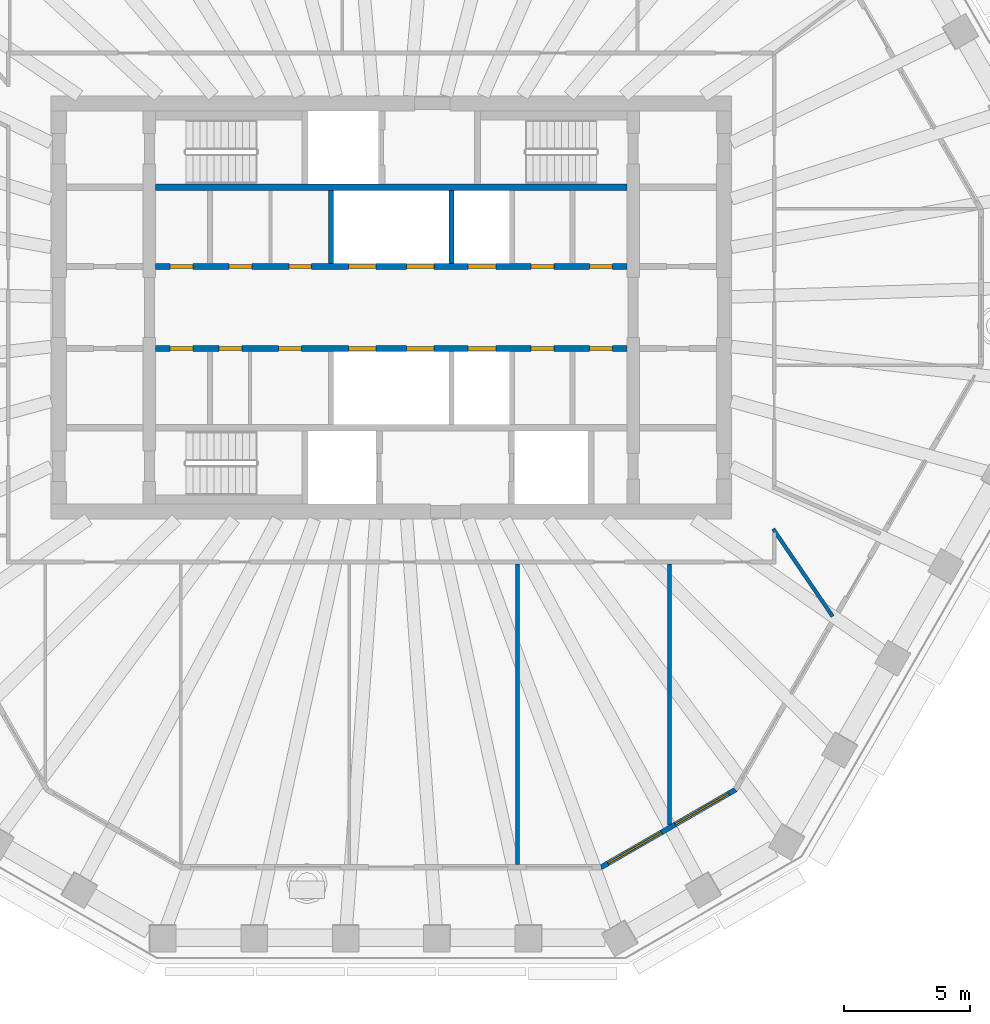
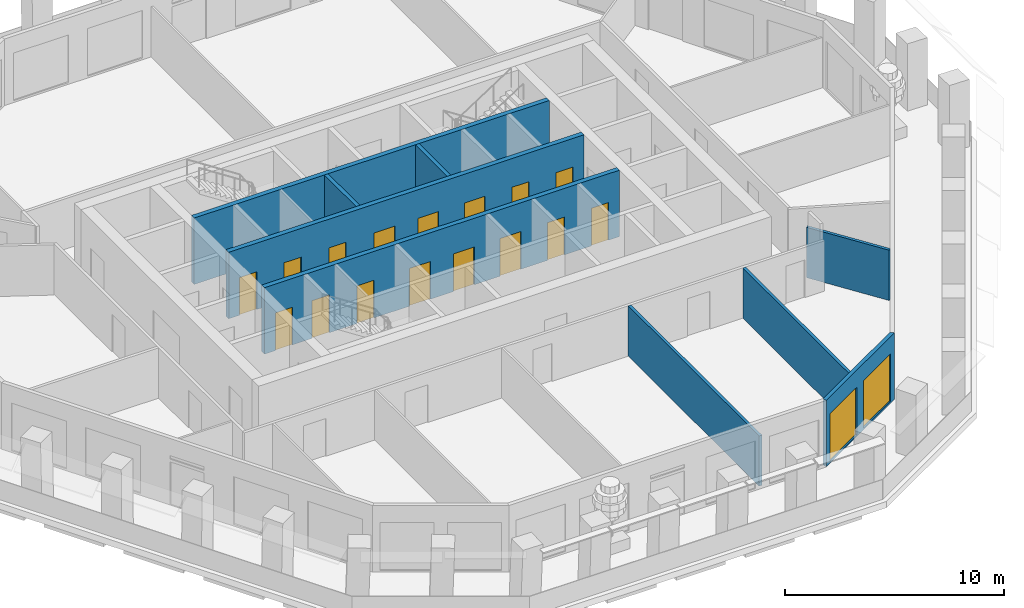
# One storey, part 5 of 12: 16 doors, 9 walls, 2 windows, 18 openings.
"""IFC4 building model written with IfcOpenShell, lengths in metres."""

from ifc_helpers import new_model, si_unit, direction, frame, frame_2d, origin, place, context, subcontext, project, spatial, polyline, rectangle, outline, extrude, material, layer, layer_set, type_object, element, fill, save


model = new_model("IFC4")

# Units and contexts
model_context = context("Model", 3, precision=1e-05, world=origin(), true_north=direction((0.0, 1.0)))
body_context = subcontext(model_context, "Body", "Model", "MODEL_VIEW")
ifc_project = project(units=[si_unit("LENGTHUNIT", "METRE"), si_unit("AREAUNIT", "SQUARE_METRE"), si_unit("VOLUMEUNIT", "CUBIC_METRE"), si_unit("PLANEANGLEUNIT", "RADIAN"), si_unit("MASSUNIT", "GRAM", prefix="KILO")], contexts=[model_context])

# Site, building, storey
site_placement = place(None, origin())
site = spatial("IfcSite", under=ifc_project, at=site_placement, CompositionType="ELEMENT")
building_placement = place(site_placement, origin())
building = spatial("IfcBuilding", under=site, at=building_placement, Name="Frailejon Research Tower", CompositionType="ELEMENT")
storey_placement = place(building_placement, frame((0.0, 0.0, 237.39990234375)))
storey = spatial("IfcBuildingStorey", under=building, at=storey_placement, Name="L51", CompositionType="ELEMENT", Elevation=237.39990234375)

# Walls
ifc_material_1 = material(Name="Gypsum board and masonry partition", Category="masonry")
ifc_layer_1 = layer(ifc_material_1, 0.14990234375)
ifc_layer_set_1 = layer_set([ifc_layer_1], Name="Corridor wall EI 60, gypsum on steel studs 150")
wall_type_1 = type_object("IfcWallType", Name="Corridor wall EI 60, gypsum on steel studs 150", PredefinedType="PARTITIONING", material=ifc_layer_set_1)
wall_1_placement = place(storey_placement, frame((15.15771484375, -8.7880859375, 0.0), z_axis=(0.0, 0.0, 1.0), x_axis=(0.562208188703, -0.82699573914, 0.0)))
element("IfcWall", 1, at=wall_1_placement, inside=storey, type_object=wall_type_1, Name="T:IW:L51:009", PredefinedType="PARTITIONING", context=body_context, shape_type="SweptSolid", body=[
    extrude(rectangle(XDim=4.197021484375, YDim=0.14990234375, at=frame_2d((2.0986328125, 0.0))), origin(), (0.0, 0.0, 1.0), 2.800048828125),
])
ifc_material_2 = material(Name="Gypsum board and masonry partition", Category="masonry")
ifc_layer_2 = layer(ifc_material_2, 0.14990234375)
ifc_layer_set_2 = layer_set([ifc_layer_2], Name="Laboratory partition, blockwork 150")
wall_type_2 = type_object("IfcWallType", Name="Laboratory partition, blockwork 150", PredefinedType="PARTITIONING", material=ifc_layer_set_2)
wall_2_placement = place(storey_placement, frame((5.014892578125, -22.1171875, 0.0), z_axis=(0.0, 0.0, 1.0), x_axis=(0.0, 1.0, 0.0)))
element("IfcWall", 2, at=wall_2_placement, inside=storey, type_object=wall_type_2, Name="T:IW:L51:012", PredefinedType="PARTITIONING", context=body_context, shape_type="SweptSolid", body=[
    extrude(rectangle(XDim=11.942138671875, YDim=0.14990234375, at=frame_2d((5.97119140625, 0.0))), origin(), (0.0, 0.0, 1.0), 2.800048828125),
])
wall_3_placement = place(storey_placement, frame((11.04541015625, -20.534423828125, 0.0), z_axis=(0.0, 0.0, 1.0), x_axis=(0.0, 1.0, 0.0)))
element("IfcWall", 3, at=wall_3_placement, inside=storey, type_object=wall_type_2, Name="T:IW:L51:013", PredefinedType="PARTITIONING", context=body_context, shape_type="SweptSolid", body=[
    extrude(rectangle(XDim=10.359375, YDim=0.14990234375, at=frame_2d((5.1796875, 0.0))), origin(), (0.0, 0.0, 1.0), 2.800048828125),
])
ifc_material_3 = material(Name="Concrete C60/75", Category="concrete")
ifc_layer_3 = layer(ifc_material_3, 0.199951171875)
ifc_layer_set_3 = layer_set([ifc_layer_3], Name="Shaft wall 200 C60/75")
wall_type_3 = type_object("IfcWallType", Name="Shaft wall 200 C60/75", PredefinedType="SOLIDWALL", material=ifc_layer_set_3)
for number, where, z_axis, x_axis, name in (
    (4, (-2.39990234375, 1.75, 0.0), (0.0, 0.0, 1.0), (0.0, 1.0, 0.0), "Shaft wall"),
    (5, (2.39990234375, 1.75, 0.0), (0.0, 0.0, 1.0), (0.0, 1.0, 0.0), "Shaft wall"),
):
    element("IfcWall", number, at=place(storey_placement, frame(where, z_axis=z_axis, x_axis=x_axis)), inside=storey, type_object=wall_type_3, Name=name, PredefinedType="SOLIDWALL", context=body_context, shape_type="SweptSolid", body=[
        extrude(rectangle(XDim=2.89990234375, YDim=0.199951171875, at=frame_2d((1.449951171875, 0.0))), origin(), (0.0, 0.0, 1.0), 3.7001953125),
    ])

# Wall, openings, doors
ifc_material_4 = material(Name="Concrete C60/75", Category="concrete")
ifc_layer_4 = layer(ifc_material_4, 0.25)
ifc_layer_set_4 = layer_set([ifc_layer_4], Name="Shaft wall 250 C60/75")
wall_type_4 = type_object("IfcWallType", Name="Shaft wall 250 C60/75", PredefinedType="SOLIDWALL", material=ifc_layer_set_4)
wall_4_placement = place(storey_placement, frame((-9.35009765625, 1.625, 0.0), z_axis=(0.0, 0.0, 1.0), x_axis=(1.0, 0.0, 0.0)))
wall_4 = element("IfcWall", 6, at=wall_4_placement, inside=storey, type_object=wall_type_4, Name="Shaft wall", PredefinedType="SOLIDWALL", context=body_context, shape_type="SweptSolid", body=[
    extrude(rectangle(XDim=18.7001953125, YDim=0.25, at=frame_2d((9.35009765625, 0.0))), origin(), (0.0, 0.0, 1.0), 3.7001953125),
])
opening_1_placement = place(wall_4_placement, frame((7.64990234375, 0.0, 0.0)))
opening_1 = element("IfcOpeningElement", 7, at=opening_1_placement, cuts=wall_4, Name="Opening LD", PredefinedType="OPENING", context=body_context, shape_type="SweptSolid", body=[
    extrude(rectangle(XDim=1.10009765625, YDim=2.10009765625, at=frame_2d((0.550048828125, 1.050048828125))), frame((0.0, 0.135009765625, 0.0), z_axis=(0.0, -1.0, 0.0), x_axis=(1.0, 0.0, 0.0)), (0.0, 0.0, 1.0), 0.27001953125),
])
opening_2_placement = place(wall_4_placement, frame((9.949951171875, 0.0, 0.0)))
opening_2 = element("IfcOpeningElement", 8, at=opening_2_placement, cuts=wall_4, Name="Opening LD", PredefinedType="OPENING", context=body_context, shape_type="SweptSolid", body=[
    extrude(rectangle(XDim=1.10009765625, YDim=2.10009765625, at=frame_2d((0.550048828125, 1.050048828125))), frame((0.0, 0.135009765625, 0.0), z_axis=(0.0, -1.0, 0.0), x_axis=(1.0, 0.0, 0.0)), (0.0, 0.0, 1.0), 0.27001953125),
])
opening_3_placement = place(wall_4_placement, frame((12.39990234375, 0.0, 0.0)))
opening_3 = element("IfcOpeningElement", 9, at=opening_3_placement, cuts=wall_4, Name="Opening LD", PredefinedType="OPENING", context=body_context, shape_type="SweptSolid", body=[
    extrude(rectangle(XDim=1.10009765625, YDim=2.10009765625, at=frame_2d((0.550048828125, 1.050048828125))), frame((0.0, 0.135009765625, 0.0), z_axis=(0.0, -1.0, 0.0), x_axis=(1.0, 0.0, 0.0)), (0.0, 0.0, 1.0), 0.27001953125),
])
opening_4_placement = place(wall_4_placement, frame((0.574951171875, 0.0, 0.0)))
opening_4 = element("IfcOpeningElement", 10, at=opening_4_placement, cuts=wall_4, Name="Opening D8", PredefinedType="OPENING", context=body_context, shape_type="SweptSolid", body=[
    extrude(rectangle(XDim=0.89990234375, YDim=2.10009765625, at=frame_2d((0.449951171875, 1.050048828125))), frame((0.0, 0.135009765625, 0.0), z_axis=(0.0, -1.0, 0.0), x_axis=(1.0, 0.0, 0.0)), (0.0, 0.0, 1.0), 0.27001953125),
])
opening_5_placement = place(wall_4_placement, frame((2.918701171875, 0.0, 0.0)))
opening_5 = element("IfcOpeningElement", 11, at=opening_5_placement, cuts=wall_4, Name="Opening D8", PredefinedType="OPENING", context=body_context, shape_type="SweptSolid", body=[
    extrude(rectangle(XDim=0.89990234375, YDim=2.10009765625, at=frame_2d((0.449951171875, 1.050048828125))), frame((0.0, 0.135009765625, 0.0), z_axis=(0.0, -1.0, 0.0), x_axis=(1.0, 0.0, 0.0)), (0.0, 0.0, 1.0), 0.27001953125),
])
opening_6_placement = place(wall_4_placement, frame((5.28125, 0.0, 0.0)))
opening_6 = element("IfcOpeningElement", 12, at=opening_6_placement, cuts=wall_4, Name="Opening D8", PredefinedType="OPENING", context=body_context, shape_type="SweptSolid", body=[
    extrude(rectangle(XDim=0.89990234375, YDim=2.10009765625, at=frame_2d((0.449951171875, 1.050048828125))), frame((0.0, 0.135009765625, 0.0), z_axis=(0.0, -1.0, 0.0), x_axis=(1.0, 0.0, 0.0)), (0.0, 0.0, 1.0), 0.27001953125),
])
opening_7_placement = place(wall_4_placement, frame((14.89990234375, 0.0, 0.0)))
opening_7 = element("IfcOpeningElement", 13, at=opening_7_placement, cuts=wall_4, Name="Opening D8", PredefinedType="OPENING", context=body_context, shape_type="SweptSolid", body=[
    extrude(rectangle(XDim=0.89990234375, YDim=2.10009765625, at=frame_2d((0.449951171875, 1.050048828125))), frame((0.0, 0.135009765625, 0.0), z_axis=(0.0, -1.0, 0.0), x_axis=(1.0, 0.0, 0.0)), (0.0, 0.0, 1.0), 0.27001953125),
])
opening_8_placement = place(wall_4_placement, frame((17.22509765625, 0.0, 0.0)))
opening_8 = element("IfcOpeningElement", 14, at=opening_8_placement, cuts=wall_4, Name="Opening D8", PredefinedType="OPENING", context=body_context, shape_type="SweptSolid", body=[
    extrude(rectangle(XDim=0.89990234375, YDim=2.10009765625, at=frame_2d((0.449951171875, 1.050048828125))), frame((0.0, 0.135009765625, 0.0), z_axis=(0.0, -1.0, 0.0), x_axis=(1.0, 0.0, 0.0)), (0.0, 0.0, 1.0), 0.27001953125),
])
ifc_material_5 = material(Name="Steel", Category="steel")
door_type_1 = type_object("IfcDoorType", Name="Core room door", OperationType="SINGLE_SWING_LEFT", PredefinedType="DOOR", material=ifc_material_5)
door_1_placement = place(opening_4_placement, origin())
door_1 = element("IfcDoor", 15, at=door_1_placement, inside=storey, type_object=door_type_1, Name="Room door", OperationType="SINGLE_SWING_LEFT", OverallHeight=2.10009765625, OverallWidth=0.89990234375, PredefinedType="DOOR", context=body_context, shape_type="SweptSolid", body=[
    extrude(rectangle(XDim=0.89990234375, YDim=2.10009765625, at=frame_2d((0.449951171875, 1.050048828125))), frame((0.0, 0.074951171875, 0.0), z_axis=(0.0, -1.0, 0.0), x_axis=(1.0, 0.0, 0.0)), (0.0, 0.0, 1.0), 0.14990234375),
])
fill(opening_4, door_1)
door_2_placement = place(opening_5_placement, origin())
door_2 = element("IfcDoor", 16, at=door_2_placement, inside=storey, type_object=door_type_1, Name="Room door", OperationType="SINGLE_SWING_RIGHT", OverallHeight=2.10009765625, OverallWidth=0.89990234375, PredefinedType="DOOR", context=body_context, shape_type="SweptSolid", body=[
    extrude(rectangle(XDim=0.89990234375, YDim=2.10009765625, at=frame_2d((0.449951171875, 1.050048828125))), frame((0.0, 0.074951171875, 0.0), z_axis=(0.0, -1.0, 0.0), x_axis=(1.0, 0.0, 0.0)), (0.0, 0.0, 1.0), 0.14990234375),
])
fill(opening_5, door_2)
door_3_placement = place(opening_6_placement, origin())
door_3 = element("IfcDoor", 17, at=door_3_placement, inside=storey, type_object=door_type_1, Name="Room door", OperationType="SINGLE_SWING_LEFT", OverallHeight=2.10009765625, OverallWidth=0.89990234375, PredefinedType="DOOR", context=body_context, shape_type="SweptSolid", body=[
    extrude(rectangle(XDim=0.89990234375, YDim=2.10009765625, at=frame_2d((0.449951171875, 1.050048828125))), frame((0.0, 0.074951171875, 0.0), z_axis=(0.0, -1.0, 0.0), x_axis=(1.0, 0.0, 0.0)), (0.0, 0.0, 1.0), 0.14990234375),
])
fill(opening_6, door_3)
door_4_placement = place(opening_7_placement, origin())
door_4 = element("IfcDoor", 18, at=door_4_placement, inside=storey, type_object=door_type_1, Name="Room door", OperationType="SINGLE_SWING_RIGHT", OverallHeight=2.10009765625, OverallWidth=0.89990234375, PredefinedType="DOOR", context=body_context, shape_type="SweptSolid", body=[
    extrude(rectangle(XDim=0.89990234375, YDim=2.10009765625, at=frame_2d((0.449951171875, 1.050048828125))), frame((0.0, 0.074951171875, 0.0), z_axis=(0.0, -1.0, 0.0), x_axis=(1.0, 0.0, 0.0)), (0.0, 0.0, 1.0), 0.14990234375),
])
fill(opening_7, door_4)
door_5_placement = place(opening_8_placement, origin())
door_5 = element("IfcDoor", 19, at=door_5_placement, inside=storey, type_object=door_type_1, Name="Room door", OperationType="SINGLE_SWING_LEFT", OverallHeight=2.10009765625, OverallWidth=0.89990234375, PredefinedType="DOOR", context=body_context, shape_type="SweptSolid", body=[
    extrude(rectangle(XDim=0.89990234375, YDim=2.10009765625, at=frame_2d((0.449951171875, 1.050048828125))), frame((0.0, 0.074951171875, 0.0), z_axis=(0.0, -1.0, 0.0), x_axis=(1.0, 0.0, 0.0)), (0.0, 0.0, 1.0), 0.14990234375),
])
fill(opening_8, door_5)
ifc_material_6 = material(Name="Steel", Category="steel")
door_type_2 = type_object("IfcDoorType", Name="Lift landing door", OperationType="DOUBLE_DOOR_SLIDING", PredefinedType="DOOR", material=ifc_material_6)
door_6_placement = place(opening_1_placement, origin())
door_6 = element("IfcDoor", 20, at=door_6_placement, inside=storey, type_object=door_type_2, Name="Lift landing door", OperationType="DOUBLE_DOOR_SLIDING", OverallHeight=2.10009765625, OverallWidth=1.10009765625, PredefinedType="DOOR", context=body_context, shape_type="SweptSolid", body=[
    extrude(rectangle(XDim=1.10009765625, YDim=2.10009765625, at=frame_2d((0.550048828125, 1.050048828125))), frame((0.0, 0.074951171875, 0.0), z_axis=(0.0, -1.0, 0.0), x_axis=(1.0, 0.0, 0.0)), (0.0, 0.0, 1.0), 0.14990234375),
])
fill(opening_1, door_6)
door_7_placement = place(opening_2_placement, origin())
door_7 = element("IfcDoor", 21, at=door_7_placement, inside=storey, type_object=door_type_2, Name="Lift landing door", OperationType="DOUBLE_DOOR_SLIDING", OverallHeight=2.10009765625, OverallWidth=1.10009765625, PredefinedType="DOOR", context=body_context, shape_type="SweptSolid", body=[
    extrude(rectangle(XDim=1.10009765625, YDim=2.10009765625, at=frame_2d((0.550048828125, 1.050048828125))), frame((0.0, 0.074951171875, 0.0), z_axis=(0.0, -1.0, 0.0), x_axis=(1.0, 0.0, 0.0)), (0.0, 0.0, 1.0), 0.14990234375),
])
fill(opening_2, door_7)
door_8_placement = place(opening_3_placement, origin())
door_8 = element("IfcDoor", 22, at=door_8_placement, inside=storey, type_object=door_type_2, Name="Lift landing door", OperationType="DOUBLE_DOOR_SLIDING", OverallHeight=2.10009765625, OverallWidth=1.10009765625, PredefinedType="DOOR", context=body_context, shape_type="SweptSolid", body=[
    extrude(rectangle(XDim=1.10009765625, YDim=2.10009765625, at=frame_2d((0.550048828125, 1.050048828125))), frame((0.0, 0.074951171875, 0.0), z_axis=(0.0, -1.0, 0.0), x_axis=(1.0, 0.0, 0.0)), (0.0, 0.0, 1.0), 0.14990234375),
])
fill(opening_3, door_8)

# Wall
wall_5_placement = place(storey_placement, frame((-9.35009765625, 4.77490234375, 0.0), z_axis=(0.0, 0.0, 1.0), x_axis=(1.0, 0.0, 0.0)))
element("IfcWall", 23, at=wall_5_placement, inside=storey, type_object=wall_type_4, Name="Shaft wall", PredefinedType="SOLIDWALL", context=body_context, shape_type="SweptSolid", body=[
    extrude(rectangle(XDim=18.7001953125, YDim=0.25, at=frame_2d((9.35009765625, 0.0))), origin(), (0.0, 0.0, 1.0), 3.7001953125),
])

# Wall, openings, doors
wall_6_placement = place(storey_placement, frame((-9.35009765625, -1.625, 0.0), z_axis=(0.0, 0.0, 1.0), x_axis=(1.0, 0.0, 0.0)))
wall_6 = element("IfcWall", 24, at=wall_6_placement, inside=storey, type_object=wall_type_4, Name="Shaft wall", PredefinedType="SOLIDWALL", context=body_context, shape_type="SweptSolid", body=[
    extrude(rectangle(XDim=18.7001953125, YDim=0.25, at=frame_2d((9.35009765625, 0.0))), origin(), (0.0, 0.0, 1.0), 3.7001953125),
])
opening_9_placement = place(wall_6_placement, frame((7.64990234375, 0.0, 0.0)))
opening_9 = element("IfcOpeningElement", 25, at=opening_9_placement, cuts=wall_6, Name="Opening LD", PredefinedType="OPENING", context=body_context, shape_type="SweptSolid", body=[
    extrude(rectangle(XDim=1.10009765625, YDim=2.10009765625, at=frame_2d((0.550048828125, 1.050048828125))), frame((0.0, 0.135009765625, 0.0), z_axis=(0.0, -1.0, 0.0), x_axis=(1.0, 0.0, 0.0)), (0.0, 0.0, 1.0), 0.27001953125),
])
opening_10_placement = place(wall_6_placement, frame((9.949951171875, 0.0, 0.0)))
opening_10 = element("IfcOpeningElement", 26, at=opening_10_placement, cuts=wall_6, Name="Opening LD", PredefinedType="OPENING", context=body_context, shape_type="SweptSolid", body=[
    extrude(rectangle(XDim=1.10009765625, YDim=2.10009765625, at=frame_2d((0.550048828125, 1.050048828125))), frame((0.0, 0.135009765625, 0.0), z_axis=(0.0, -1.0, 0.0), x_axis=(1.0, 0.0, 0.0)), (0.0, 0.0, 1.0), 0.27001953125),
])
opening_11_placement = place(wall_6_placement, frame((12.39990234375, 0.0, 0.0)))
opening_11 = element("IfcOpeningElement", 27, at=opening_11_placement, cuts=wall_6, Name="Opening LD", PredefinedType="OPENING", context=body_context, shape_type="SweptSolid", body=[
    extrude(rectangle(XDim=1.10009765625, YDim=2.10009765625, at=frame_2d((0.550048828125, 1.050048828125))), frame((0.0, 0.135009765625, 0.0), z_axis=(0.0, -1.0, 0.0), x_axis=(1.0, 0.0, 0.0)), (0.0, 0.0, 1.0), 0.27001953125),
])
opening_12_placement = place(wall_6_placement, frame((0.574951171875, 0.0, 0.0)))
opening_12 = element("IfcOpeningElement", 28, at=opening_12_placement, cuts=wall_6, Name="Opening D8", PredefinedType="OPENING", context=body_context, shape_type="SweptSolid", body=[
    extrude(rectangle(XDim=0.89990234375, YDim=2.10009765625, at=frame_2d((0.449951171875, 1.050048828125))), frame((0.0, 0.135009765625, 0.0), z_axis=(0.0, -1.0, 0.0), x_axis=(1.0, 0.0, 0.0)), (0.0, 0.0, 1.0), 0.27001953125),
])
opening_13_placement = place(wall_6_placement, frame((2.518798828125, 0.0, 0.0)))
opening_13 = element("IfcOpeningElement", 29, at=opening_13_placement, cuts=wall_6, Name="Opening D8", PredefinedType="OPENING", context=body_context, shape_type="SweptSolid", body=[
    extrude(rectangle(XDim=0.89990234375, YDim=2.10009765625, at=frame_2d((0.449951171875, 1.050048828125))), frame((0.0, 0.135009765625, 0.0), z_axis=(0.0, -1.0, 0.0), x_axis=(1.0, 0.0, 0.0)), (0.0, 0.0, 1.0), 0.27001953125),
])
opening_14_placement = place(wall_6_placement, frame((4.881103515625, 0.0, 0.0)))
opening_14 = element("IfcOpeningElement", 30, at=opening_14_placement, cuts=wall_6, Name="Opening D8", PredefinedType="OPENING", context=body_context, shape_type="SweptSolid", body=[
    extrude(rectangle(XDim=0.89990234375, YDim=2.10009765625, at=frame_2d((0.449951171875, 1.050048828125))), frame((0.0, 0.135009765625, 0.0), z_axis=(0.0, -1.0, 0.0), x_axis=(1.0, 0.0, 0.0)), (0.0, 0.0, 1.0), 0.27001953125),
])
opening_15_placement = place(wall_6_placement, frame((14.89990234375, 0.0, 0.0)))
opening_15 = element("IfcOpeningElement", 31, at=opening_15_placement, cuts=wall_6, Name="Opening D8", PredefinedType="OPENING", context=body_context, shape_type="SweptSolid", body=[
    extrude(rectangle(XDim=0.89990234375, YDim=2.10009765625, at=frame_2d((0.449951171875, 1.050048828125))), frame((0.0, 0.135009765625, 0.0), z_axis=(0.0, -1.0, 0.0), x_axis=(1.0, 0.0, 0.0)), (0.0, 0.0, 1.0), 0.27001953125),
])
opening_16_placement = place(wall_6_placement, frame((17.22509765625, 0.0, 0.0)))
opening_16 = element("IfcOpeningElement", 32, at=opening_16_placement, cuts=wall_6, Name="Opening D8", PredefinedType="OPENING", context=body_context, shape_type="SweptSolid", body=[
    extrude(rectangle(XDim=0.89990234375, YDim=2.10009765625, at=frame_2d((0.449951171875, 1.050048828125))), frame((0.0, 0.135009765625, 0.0), z_axis=(0.0, -1.0, 0.0), x_axis=(1.0, 0.0, 0.0)), (0.0, 0.0, 1.0), 0.27001953125),
])
door_9_placement = place(opening_12_placement, origin())
door_9 = element("IfcDoor", 33, at=door_9_placement, inside=storey, type_object=door_type_1, Name="Room door", OperationType="SINGLE_SWING_RIGHT", OverallHeight=2.10009765625, OverallWidth=0.89990234375, PredefinedType="DOOR", context=body_context, shape_type="SweptSolid", body=[
    extrude(rectangle(XDim=0.89990234375, YDim=2.10009765625, at=frame_2d((0.449951171875, 1.050048828125))), frame((0.0, 0.074951171875, 0.0), z_axis=(0.0, -1.0, 0.0), x_axis=(1.0, 0.0, 0.0)), (0.0, 0.0, 1.0), 0.14990234375),
])
fill(opening_12, door_9)
door_10_placement = place(opening_13_placement, origin())
door_10 = element("IfcDoor", 34, at=door_10_placement, inside=storey, type_object=door_type_1, Name="Room door", OperationType="SINGLE_SWING_LEFT", OverallHeight=2.10009765625, OverallWidth=0.89990234375, PredefinedType="DOOR", context=body_context, shape_type="SweptSolid", body=[
    extrude(rectangle(XDim=0.89990234375, YDim=2.10009765625, at=frame_2d((0.449951171875, 1.050048828125))), frame((0.0, 0.074951171875, 0.0), z_axis=(0.0, -1.0, 0.0), x_axis=(1.0, 0.0, 0.0)), (0.0, 0.0, 1.0), 0.14990234375),
])
fill(opening_13, door_10)
door_11_placement = place(opening_14_placement, origin())
door_11 = element("IfcDoor", 35, at=door_11_placement, inside=storey, type_object=door_type_1, Name="Room door", OperationType="SINGLE_SWING_RIGHT", OverallHeight=2.10009765625, OverallWidth=0.89990234375, PredefinedType="DOOR", context=body_context, shape_type="SweptSolid", body=[
    extrude(rectangle(XDim=0.89990234375, YDim=2.10009765625, at=frame_2d((0.449951171875, 1.050048828125))), frame((0.0, 0.074951171875, 0.0), z_axis=(0.0, -1.0, 0.0), x_axis=(1.0, 0.0, 0.0)), (0.0, 0.0, 1.0), 0.14990234375),
])
fill(opening_14, door_11)
door_12_placement = place(opening_15_placement, origin())
door_12 = element("IfcDoor", 36, at=door_12_placement, inside=storey, type_object=door_type_1, Name="Room door", OperationType="SINGLE_SWING_LEFT", OverallHeight=2.10009765625, OverallWidth=0.89990234375, PredefinedType="DOOR", context=body_context, shape_type="SweptSolid", body=[
    extrude(rectangle(XDim=0.89990234375, YDim=2.10009765625, at=frame_2d((0.449951171875, 1.050048828125))), frame((0.0, 0.074951171875, 0.0), z_axis=(0.0, -1.0, 0.0), x_axis=(1.0, 0.0, 0.0)), (0.0, 0.0, 1.0), 0.14990234375),
])
fill(opening_15, door_12)
door_13_placement = place(opening_16_placement, origin())
door_13 = element("IfcDoor", 37, at=door_13_placement, inside=storey, type_object=door_type_1, Name="Room door", OperationType="SINGLE_SWING_RIGHT", OverallHeight=2.10009765625, OverallWidth=0.89990234375, PredefinedType="DOOR", context=body_context, shape_type="SweptSolid", body=[
    extrude(rectangle(XDim=0.89990234375, YDim=2.10009765625, at=frame_2d((0.449951171875, 1.050048828125))), frame((0.0, 0.074951171875, 0.0), z_axis=(0.0, -1.0, 0.0), x_axis=(1.0, 0.0, 0.0)), (0.0, 0.0, 1.0), 0.14990234375),
])
fill(opening_16, door_13)
door_14_placement = place(opening_9_placement, origin())
door_14 = element("IfcDoor", 38, at=door_14_placement, inside=storey, type_object=door_type_2, Name="Lift landing door", OperationType="DOUBLE_DOOR_SLIDING", OverallHeight=2.10009765625, OverallWidth=1.10009765625, PredefinedType="DOOR", context=body_context, shape_type="SweptSolid", body=[
    extrude(rectangle(XDim=1.10009765625, YDim=2.10009765625, at=frame_2d((0.550048828125, 1.050048828125))), frame((0.0, 0.074951171875, 0.0), z_axis=(0.0, -1.0, 0.0), x_axis=(1.0, 0.0, 0.0)), (0.0, 0.0, 1.0), 0.14990234375),
])
fill(opening_9, door_14)
door_15_placement = place(opening_10_placement, origin())
door_15 = element("IfcDoor", 39, at=door_15_placement, inside=storey, type_object=door_type_2, Name="Lift landing door", OperationType="DOUBLE_DOOR_SLIDING", OverallHeight=2.10009765625, OverallWidth=1.10009765625, PredefinedType="DOOR", context=body_context, shape_type="SweptSolid", body=[
    extrude(rectangle(XDim=1.10009765625, YDim=2.10009765625, at=frame_2d((0.550048828125, 1.050048828125))), frame((0.0, 0.074951171875, 0.0), z_axis=(0.0, -1.0, 0.0), x_axis=(1.0, 0.0, 0.0)), (0.0, 0.0, 1.0), 0.14990234375),
])
fill(opening_10, door_15)
door_16_placement = place(opening_11_placement, origin())
door_16 = element("IfcDoor", 40, at=door_16_placement, inside=storey, type_object=door_type_2, Name="Lift landing door", OperationType="DOUBLE_DOOR_SLIDING", OverallHeight=2.10009765625, OverallWidth=1.10009765625, PredefinedType="DOOR", context=body_context, shape_type="SweptSolid", body=[
    extrude(rectangle(XDim=1.10009765625, YDim=2.10009765625, at=frame_2d((0.550048828125, 1.050048828125))), frame((0.0, 0.074951171875, 0.0), z_axis=(0.0, -1.0, 0.0), x_axis=(1.0, 0.0, 0.0)), (0.0, 0.0, 1.0), 0.14990234375),
])
fill(opening_11, door_16)

# Wall, openings, windows
ifc_material_7 = material(Name="Concrete C40/50 precast window wall panel", Category="concrete")
ifc_layer_5 = layer(ifc_material_7, 0.199951171875)
ifc_layer_set_5 = layer_set([ifc_layer_5], Name="Window wall 200")
wall_type_5 = type_object("IfcWallType", Name="Window wall 200", PredefinedType="SOLIDWALL", material=ifc_layer_set_5)
wall_7_placement = place(storey_placement, frame((8.331298828125, -22.217041015625, 0.0), z_axis=(0.0, 0.0, 1.0), x_axis=(0.866019727221, 0.500009831968, 0.0)))
wall_7 = element("IfcWall", 41, at=wall_7_placement, inside=storey, type_object=wall_type_5, Name="Exterior wall L51", PredefinedType="SOLIDWALL", context=body_context, shape_type="SweptSolid", body=[
    extrude(outline(polyline([(-0.02685546875, -0.10009765625), (1.007568359375, -0.10009765625), (2.0419921875, -0.10009765625), (3.076416015625, -0.10009765625), (4.11083984375, -0.10009765625), (5.145263671875, -0.10009765625), (6.1796875, -0.10009765625), (6.1259765625, 0.10009765625), (5.109375, 0.10009765625), (4.093017578125, 0.10009765625), (3.076416015625, 0.10009765625), (2.059814453125, 0.10009765625), (1.04345703125, 0.10009765625), (0.02685546875, 0.10009765625), (-0.02685546875, -0.10009765625)])), origin(), (0.0, 0.0, 1.0), 3.7001953125),
])
opening_17_placement = place(wall_7_placement, frame((0.313232421875, 0.0, 0.10009765625)))
opening_17 = element("IfcOpeningElement", 42, at=opening_17_placement, cuts=wall_7, Name="Opening W17", PredefinedType="OPENING", context=body_context, shape_type="SweptSolid", body=[
    extrude(rectangle(XDim=2.449951171875, YDim=2.64990234375, at=frame_2d((1.22509765625, 1.324951171875))), frame((0.0, 0.10986328125, 0.0), z_axis=(0.0, -1.0, 0.0), x_axis=(1.0, 0.0, 0.0)), (0.0, 0.0, 1.0), 0.219970703125),
])
opening_18_placement = place(wall_7_placement, frame((3.3896484375, 0.0, 0.10009765625)))
opening_18 = element("IfcOpeningElement", 43, at=opening_18_placement, cuts=wall_7, Name="Opening W17", PredefinedType="OPENING", context=body_context, shape_type="SweptSolid", body=[
    extrude(rectangle(XDim=2.449951171875, YDim=2.64990234375, at=frame_2d((1.22509765625, 1.324951171875))), frame((0.0, 0.10986328125, 0.0), z_axis=(0.0, -1.0, 0.0), x_axis=(1.0, 0.0, 0.0)), (0.0, 0.0, 1.0), 0.219970703125),
])
ifc_material_8 = material(Name="Aluminium framed double glazing", Category="aluminium")
window_type = type_object("IfcWindowType", Name="Window 2450x2650", PartitioningType="SINGLE_PANEL", PredefinedType="WINDOW", material=ifc_material_8)
window_1_placement = place(opening_17_placement, origin())
window_1 = element("IfcWindow", 44, at=window_1_placement, inside=storey, type_object=window_type, Name="Window L51", OverallHeight=2.64990234375, OverallWidth=2.449951171875, PartitioningType="SINGLE_PANEL", PredefinedType="WINDOW", context=body_context, shape_type="SweptSolid", body=[
    extrude(rectangle(XDim=2.449951171875, YDim=2.64990234375, at=frame_2d((1.22509765625, 1.324951171875))), frame((0.0, 0.030029296875, 0.0), z_axis=(0.0, -1.0, 0.0), x_axis=(1.0, 0.0, 0.0)), (0.0, 0.0, 1.0), 0.06005859375),
])
fill(opening_17, window_1)
window_2_placement = place(opening_18_placement, origin())
window_2 = element("IfcWindow", 45, at=window_2_placement, inside=storey, type_object=window_type, Name="Window L51", OverallHeight=2.64990234375, OverallWidth=2.449951171875, PartitioningType="SINGLE_PANEL", PredefinedType="WINDOW", context=body_context, shape_type="SweptSolid", body=[
    extrude(rectangle(XDim=2.449951171875, YDim=2.64990234375, at=frame_2d((1.22509765625, 1.324951171875))), frame((0.0, 0.030029296875, 0.0), z_axis=(0.0, -1.0, 0.0), x_axis=(1.0, 0.0, 0.0)), (0.0, 0.0, 1.0), 0.06005859375),
])
fill(opening_18, window_2)

save(model, "model.ifc")
